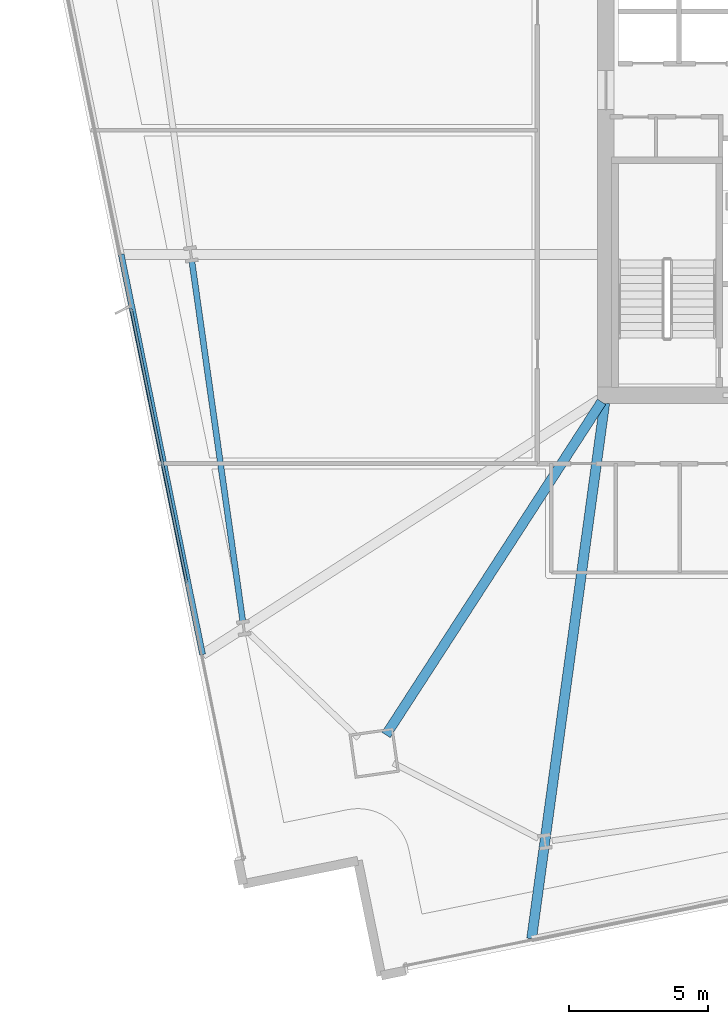
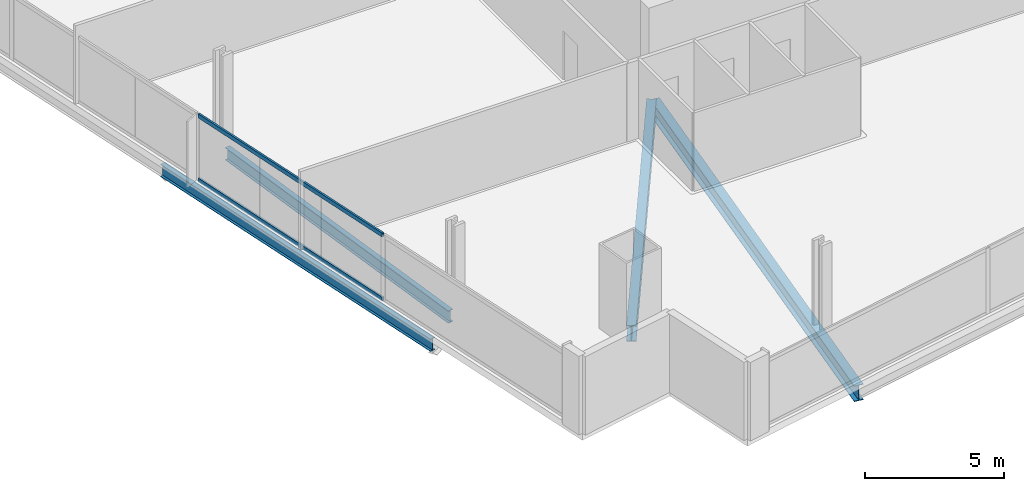
# One storey, part 5 of 33: 4 beams, 2 members, 1 element without a shape of its own.
"""IFC4 building model written with IfcOpenShell, lengths in metres."""

from ifc_helpers import new_model, si_unit, direction, frame, origin, origin_2d, place, context, subcontext, project, spatial, hollow_rectangle, i_section, extrude, material, material_profile, profile_set, type_object, element, aggregate, save


model = new_model("IFC4")

# Units and contexts
model_context = context("Model", 3, precision=1e-05, world=origin(), true_north=direction((0.0, 1.0)))
body_context = subcontext(model_context, "Body", "Model", "MODEL_VIEW")
ifc_project = project(units=[si_unit("LENGTHUNIT", "METRE"), si_unit("AREAUNIT", "SQUARE_METRE"), si_unit("VOLUMEUNIT", "CUBIC_METRE"), si_unit("PLANEANGLEUNIT", "RADIAN"), si_unit("MASSUNIT", "GRAM", prefix="KILO")], contexts=[model_context])

# Site, building, storey
site_placement = place(None, origin())
site = spatial("IfcSite", under=ifc_project, at=site_placement, CompositionType="ELEMENT")
building_placement = place(site_placement, origin())
building = spatial("IfcBuilding", under=site, at=building_placement, Name="Haldenkirk Collegiate Tower", CompositionType="ELEMENT")
storey_placement = place(building_placement, frame((0.0, 0.0, 66.449951171875)))
storey = spatial("IfcBuildingStorey", under=building, at=storey_placement, Name="L15", CompositionType="ELEMENT", Elevation=66.449951171875)

# Beams
ifc_material_1 = material(Name="Steel ASTM A992 Grade 50", Category="steel")
ifc_material_profile_1 = material_profile(ifc_material_1, i_section(OverallWidth=0.35498046875, OverallDepth=0.696044921875, WebThickness=0.015380859375, FlangeThickness=0.02490234375, at=origin_2d()), Name="W27X146")
ifc_profile_set_1 = profile_set([ifc_material_profile_1], Name="Steel ASTM A992 Grade 50")
beam_type_1 = type_object("IfcBeamType", Name="BM-GIRDER-W27X146", PredefinedType="BEAM", material=ifc_profile_set_1)
beam_1_placement = place(storey_placement, frame((19.1201171875, 5.826416015625, -0.657958984375), z_axis=(0.54339434448, 0.839477567531, 0.0), x_axis=(-0.839477567531, 0.54339434448, 0.0)))
element("IfcBeam", 1, at=beam_1_placement, inside=storey, type_object=beam_type_1, Name="L15 primary floor girder 01", PredefinedType="BEAM", context=body_context, shape_type="SweptSolid", body=[
    extrude(i_section(OverallWidth=0.35498046875, OverallDepth=0.696044921875, WebThickness=0.015380859375, FlangeThickness=0.02490234375, at=origin_2d()), origin(), (0.0, 0.0, 1.0), 14.221435546875),
])
beam_2_placement = place(storey_placement, frame((24.340087890625, -1.481201171875, -0.657958984375), z_axis=(0.135283520131, 0.990806928307, 0.0), x_axis=(-0.990806928307, 0.135283520131, 0.0)))
element("IfcBeam", 2, at=beam_2_placement, inside=storey, type_object=beam_type_1, Name="L15 primary floor girder 05", PredefinedType="BEAM", context=body_context, shape_type="SweptSolid", body=[
    extrude(i_section(OverallWidth=0.35498046875, OverallDepth=0.696044921875, WebThickness=0.015380859375, FlangeThickness=0.02490234375, at=origin_2d()), origin(), (0.0, 0.0, 1.0), 19.382080078125),
])
ifc_material_profile_2 = material_profile(ifc_material_1, i_section(OverallWidth=0.2119140625, OverallDepth=0.5439453125, WebThickness=0.01318359375, FlangeThickness=0.021240234375, at=origin_2d()), Name="W21X83")
ifc_profile_set_2 = profile_set([ifc_material_profile_2], Name="Steel ASTM A992 Grade 50")
beam_type_2 = type_object("IfcBeamType", Name="BM-SPANDREL-W21X83", PredefinedType="SPANDREL", material=ifc_profile_set_2)
beam_3_placement = place(storey_placement, frame((12.16455078125, 22.791015625, -0.58203125), z_axis=(0.140043508171, -0.990145350855, 0.0), x_axis=(0.990145350855, 0.140043508171, 0.0)))
element("IfcBeam", 3, at=beam_3_placement, inside=storey, type_object=beam_type_2, Name="L15 perimeter spandrel beam 15", PredefinedType="SPANDREL", context=body_context, shape_type="SweptSolid", body=[
    extrude(i_section(OverallWidth=0.2119140625, OverallDepth=0.5439453125, WebThickness=0.01318359375, FlangeThickness=0.021240234375, at=origin_2d()), origin(), (0.0, 0.0, 1.0), 13.0),
])
beam_4_placement = place(storey_placement, frame((9.628173828125, 23.052978515625, -0.58203125), z_axis=(0.199357742111, -0.979926778214, 0.0), x_axis=(0.979926778214, 0.199357742111, 0.0)))
element("IfcBeam", 4, at=beam_4_placement, inside=storey, type_object=beam_type_2, Name="L15 outer facade edge beam 4B", PredefinedType="SPANDREL", context=body_context, shape_type="SweptSolid", body=[
    extrude(i_section(OverallWidth=0.2119140625, OverallDepth=0.5439453125, WebThickness=0.01318359375, FlangeThickness=0.021240234375, at=origin_2d()), origin(), (0.0, 0.0, 1.0), 14.63818359375),
])

# Curtain wall, members
ifc_material_2 = material(Name="Anodised architectural bronze aluminium", Category="aluminium")
curtain_wall_type = type_object("IfcCurtainWallType", Name="CW-SYS1-CONVEX-LOW", PredefinedType="USERDEFINED", material=ifc_material_2)
curtain_wall_placement = place(storey_placement, origin())
curtain_wall = element("IfcCurtainWall", 5, at=curtain_wall_placement, inside=storey, type_object=curtain_wall_type, Name="L15 Lower tower convex bronze-framed unitised curtain wall", ObjectType="UNITISED CURTAIN WALL", PredefinedType="USERDEFINED")
ifc_material_profile_3 = material_profile(ifc_material_2, hollow_rectangle(XDim=0.080078125, YDim=0.179931640625, WallThickness=0.0048828125, at=origin_2d()), Name="CW-TRN-1A")
ifc_profile_set_3 = profile_set([ifc_material_profile_3], Name="Anodised architectural bronze aluminium")
member_type = type_object("IfcMemberType", Name="CW-TRN-1A", PredefinedType="USERDEFINED", material=ifc_profile_set_3)
member_1_placement = place(storey_placement, frame((11.978515625, 11.299560546875, 0.0400390625), z_axis=(-0.199372403444, 0.979923795376, 0.0), x_axis=(-0.979923795376, -0.199372403444, 0.0)))
member_1 = element("IfcMember", 6, at=member_1_placement, type_object=member_type, Name="CW-1A transom 2.1", ObjectType="TRANSOM", PredefinedType="USERDEFINED", context=body_context, shape_type="SweptSolid", body=[
    extrude(hollow_rectangle(XDim=0.080078125, YDim=0.179931640625, WallThickness=0.0048828125, at=origin_2d()), origin(), (0.0, 0.0, 1.0), 9.988525390625),
])
member_2_placement = place(storey_placement, frame((11.978515625, 11.299560546875, 2.85107421875), z_axis=(-0.199372403444, 0.979923795376, 0.0), x_axis=(-0.979923795376, -0.199372403444, 0.0)))
member_2 = element("IfcMember", 7, at=member_2_placement, type_object=member_type, Name="CW-1A transom 2.2", ObjectType="TRANSOM", PredefinedType="USERDEFINED", context=body_context, shape_type="SweptSolid", body=[
    extrude(hollow_rectangle(XDim=0.080078125, YDim=0.179931640625, WallThickness=0.0048828125, at=origin_2d()), origin(), (0.0, 0.0, 1.0), 9.988525390625),
])
aggregate(curtain_wall, [member_1, member_2])

save(model, "model.ifc")
